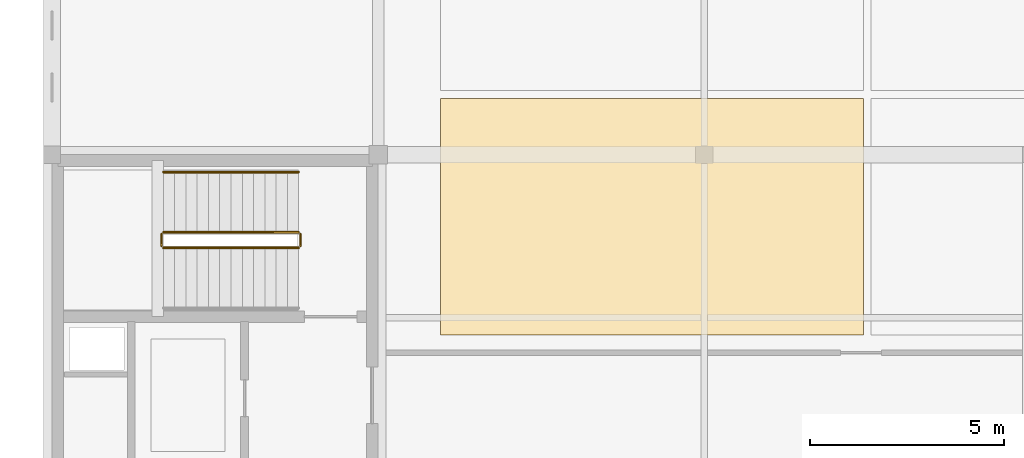
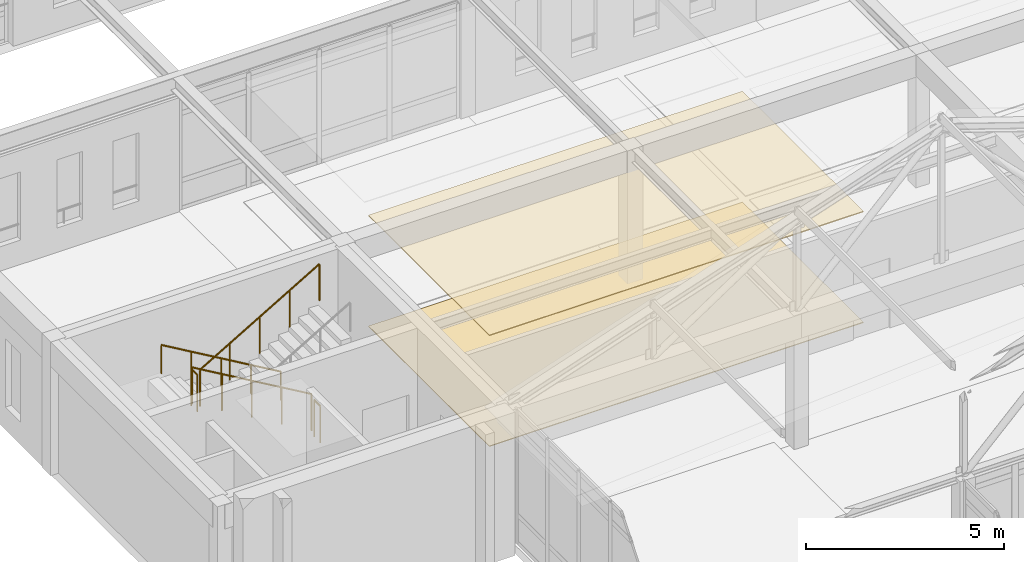
# One storey, part 186 of 192: 5 railings, 2 coverings.
"""IFC4 building model written with IfcOpenShell, lengths in metres."""

from ifc_helpers import new_model, si_unit, direction, frame, origin, origin_2d, place, context, subcontext, project, spatial, rectangle, circle, extrude, material, layer, layer_set, type_object, element, save


model = new_model("IFC4")

# Units and contexts
model_context = context("Model", 3, precision=1e-05, world=origin(), true_north=direction((0.0, 1.0)))
body_context = subcontext(model_context, "Body", "Model", "MODEL_VIEW")
ifc_project = project(units=[si_unit("LENGTHUNIT", "METRE"), si_unit("AREAUNIT", "SQUARE_METRE"), si_unit("VOLUMEUNIT", "CUBIC_METRE"), si_unit("PLANEANGLEUNIT", "RADIAN"), si_unit("MASSUNIT", "GRAM", prefix="KILO")], contexts=[model_context])

# Site, building, storey
site_placement = place(None, origin())
site = spatial("IfcSite", under=ifc_project, at=site_placement, CompositionType="ELEMENT")
building_placement = place(site_placement, origin())
building = spatial("IfcBuilding", under=site, at=building_placement, Name="Kveldsbrygga Polytechnic", CompositionType="ELEMENT")
storey_placement = place(building_placement, frame((0.0, 0.0, 5.43994140625)))
storey = spatial("IfcBuildingStorey", under=building, at=storey_placement, Name="L01", CompositionType="ELEMENT", Elevation=5.43994140625)

# Coverings
ifc_material_1 = material(Name="Acoustic mineral baffle ceiling")
ifc_layer_1 = layer(ifc_material_1, 0.030029296875)
ifc_layer_set_1 = layer_set([ifc_layer_1], Name="Acoustic mineral baffle ceiling")
covering_type_1 = type_object("IfcCoveringType", Name="COV-CEIL-AC30", PredefinedType="CEILING", material=ifc_layer_set_1)
covering_1_placement = place(storey_placement, frame((57.449951171875, 90.800048828125, 3.41015625), z_axis=(0.0, 0.0, 1.0), x_axis=(1.0, 0.0, 0.0)))
element("IfcCovering", 1, at=covering_1_placement, inside=storey, type_object=covering_type_1, Name="Acoustic Ceiling SP-L01-SEM11-WS", PredefinedType="CEILING", context=body_context, shape_type="SweptSolid", body=[
    extrude(rectangle(XDim=10.89990234375, YDim=6.10009765625, at=origin_2d()), origin(), (0.0, 0.0, 1.0), 0.030029296875),
])
ifc_material_2 = material(Name="Acoustic oak timber flooring", Category="wood")
ifc_layer_2 = layer(ifc_material_2, 0.02197265625)
ifc_layer_set_2 = layer_set([ifc_layer_2], Name="Acoustic oak timber flooring")
covering_type_2 = type_object("IfcCoveringType", Name="COV-FLR-OAK22", PredefinedType="FLOORING", material=ifc_layer_set_2)
covering_2_placement = place(storey_placement, frame((57.449951171875, 90.800048828125, 0.0), z_axis=(0.0, 0.0, 1.0), x_axis=(1.0, 0.0, 0.0)))
element("IfcCovering", 2, at=covering_2_placement, inside=storey, type_object=covering_type_2, Name="Room Flooring SP-L01-SEM11-WS", PredefinedType="FLOORING", context=body_context, shape_type="SweptSolid", body=[
    extrude(rectangle(XDim=10.89990234375, YDim=6.10009765625, at=origin_2d()), origin(), (0.0, 0.0, 1.0), 0.02197265625),
])

# Railings
ifc_material_3 = material(Name="Steel S355", Category="steel")
railing_type_1 = type_object("IfcRailingType", Name="RL-STAIR-GRD", PredefinedType="GUARDRAIL", material=ifc_material_3)
railing_1_placement = place(storey_placement, frame((48.35009765625, 90.39990234375, 0.170166015625)))
element("IfcRailing", 3, at=railing_1_placement, inside=storey, type_object=railing_type_1, Name="L01 ST-7 stair guard 1", PredefinedType="GUARDRAIL", context=body_context, shape_type="SweptSolid", body=[
    extrude(circle(Radius=0.02392578125, at=origin_2d()), frame((0.0, 0.0, 1.1259765625), z_axis=(-0.862718911971, 0.0, 0.505683773644), x_axis=(0.0, -1.0, 0.0)), (0.0, 0.0, 1.0), 4.03369140625),
    extrude(circle(Radius=0.02099609375, at=origin_2d()), origin(), (0.0, 0.0, 1.0), 1.097900390625),
    extrude(circle(Radius=0.02099609375, at=origin_2d()), frame((-0.8701171875, 0.0, 0.510009765625)), (0.0, 0.0, 1.0), 1.097900390625),
    extrude(circle(Radius=0.02099609375, at=origin_2d()), frame((-1.739990234375, 0.0, 1.02001953125)), (0.0, 0.0, 1.0), 1.097900390625),
    extrude(circle(Radius=0.02099609375, at=origin_2d()), frame((-2.60986328125, 0.0, 1.52978515625)), (0.0, 0.0, 1.0), 1.097900390625),
    extrude(circle(Radius=0.02099609375, at=origin_2d()), frame((-3.47998046875, 0.0, 2.039794921875)), (0.0, 0.0, 1.0), 1.097900390625),
])
railing_2_placement = place(storey_placement, frame((44.820068359375, 90.35009765625, 2.2099609375)))
element("IfcRailing", 4, at=railing_2_placement, inside=storey, type_object=railing_type_1, Name="L01 ST-7 stair guard 2", PredefinedType="GUARDRAIL", context=body_context, shape_type="SweptSolid", body=[
    extrude(circle(Radius=0.02392578125, at=origin_2d()), frame((0.0, 0.0, 1.1259765625), z_axis=(0.0, -1.0, 0.0), x_axis=(1.0, 0.0, 0.0)), (0.0, 0.0, 1.0), 0.300048828125),
    extrude(circle(Radius=0.02099609375, at=origin_2d()), origin(), (0.0, 0.0, 1.0), 1.097900390625),
    extrude(circle(Radius=0.02099609375, at=origin_2d()), frame((0.0, -0.300048828125, 0.0)), (0.0, 0.0, 1.0), 1.097900390625),
])
railing_3_placement = place(storey_placement, frame((44.8701171875, 90.0, 2.380126953125)))
element("IfcRailing", 5, at=railing_3_placement, inside=storey, type_object=railing_type_1, Name="L01 ST-7 stair guard 3", PredefinedType="GUARDRAIL", context=body_context, shape_type="SweptSolid", body=[
    extrude(circle(Radius=0.02392578125, at=origin_2d()), frame((0.0, 0.0, 1.1259765625), z_axis=(0.862692506924, 0.0, 0.505728819128), x_axis=(0.0, 1.0, 0.0)), (0.0, 0.0, 1.0), 4.033935546875),
    extrude(circle(Radius=0.02099609375, at=origin_2d()), origin(), (0.0, 0.0, 1.0), 1.097900390625),
    extrude(circle(Radius=0.02099609375, at=origin_2d()), frame((0.8701171875, 0.0, 0.510009765625)), (0.0, 0.0, 1.0), 1.097900390625),
    extrude(circle(Radius=0.02099609375, at=origin_2d()), frame((1.739990234375, 0.0, 1.02001953125)), (0.0, 0.0, 1.0), 1.097900390625),
    extrude(circle(Radius=0.02099609375, at=origin_2d()), frame((2.60986328125, 0.0, 1.530029296875)), (0.0, 0.0, 1.0), 1.097900390625),
    extrude(circle(Radius=0.02099609375, at=origin_2d()), frame((3.47998046875, 0.0, 2.0400390625)), (0.0, 0.0, 1.0), 1.097900390625),
])
railing_4_placement = place(storey_placement, frame((48.39990234375, 90.35009765625, 0.0)))
element("IfcRailing", 6, at=railing_4_placement, inside=storey, type_object=railing_type_1, Name="L01 ST-7 stair guard 4", PredefinedType="GUARDRAIL", context=body_context, shape_type="SweptSolid", body=[
    extrude(circle(Radius=0.02392578125, at=origin_2d()), frame((0.0, 0.0, 1.1259765625), z_axis=(0.0, -1.0, 0.0), x_axis=(1.0, 0.0, 0.0)), (0.0, 0.0, 1.0), 0.300048828125),
    extrude(circle(Radius=0.02099609375, at=origin_2d()), origin(), (0.0, 0.0, 1.0), 1.097900390625),
    extrude(circle(Radius=0.02099609375, at=origin_2d()), frame((0.0, -0.300048828125, 0.0)), (0.0, 0.0, 1.0), 1.097900390625),
])
railing_type_2 = type_object("IfcRailingType", Name="RL-STAIR-HND", PredefinedType="HANDRAIL", material=ifc_material_3)
railing_5_placement = place(storey_placement, frame((48.35009765625, 91.949951171875, 0.170166015625)))
element("IfcRailing", 7, at=railing_5_placement, inside=storey, type_object=railing_type_2, Name="L01 ST-7 stair handrail 1", PredefinedType="HANDRAIL", context=body_context, shape_type="SweptSolid", body=[
    extrude(circle(Radius=0.02392578125, at=origin_2d()), frame((0.0, 0.0, 0.8759765625), z_axis=(-0.862718911971, 0.0, 0.505683773644), x_axis=(0.0, -1.0, 0.0)), (0.0, 0.0, 1.0), 4.03369140625),
    extrude(circle(Radius=0.02099609375, at=origin_2d()), origin(), (0.0, 0.0, 1.0), 0.847900390625),
    extrude(circle(Radius=0.02099609375, at=origin_2d()), frame((-0.8701171875, 0.0, 0.510009765625)), (0.0, 0.0, 1.0), 0.847900390625),
    extrude(circle(Radius=0.02099609375, at=origin_2d()), frame((-1.739990234375, 0.0, 1.02001953125)), (0.0, 0.0, 1.0), 0.847900390625),
    extrude(circle(Radius=0.02099609375, at=origin_2d()), frame((-2.60986328125, 0.0, 1.52978515625)), (0.0, 0.0, 1.0), 0.847900390625),
    extrude(circle(Radius=0.02099609375, at=origin_2d()), frame((-3.47998046875, 0.0, 2.039794921875)), (0.0, 0.0, 1.0), 0.847900390625),
])

save(model, "model.ifc")
